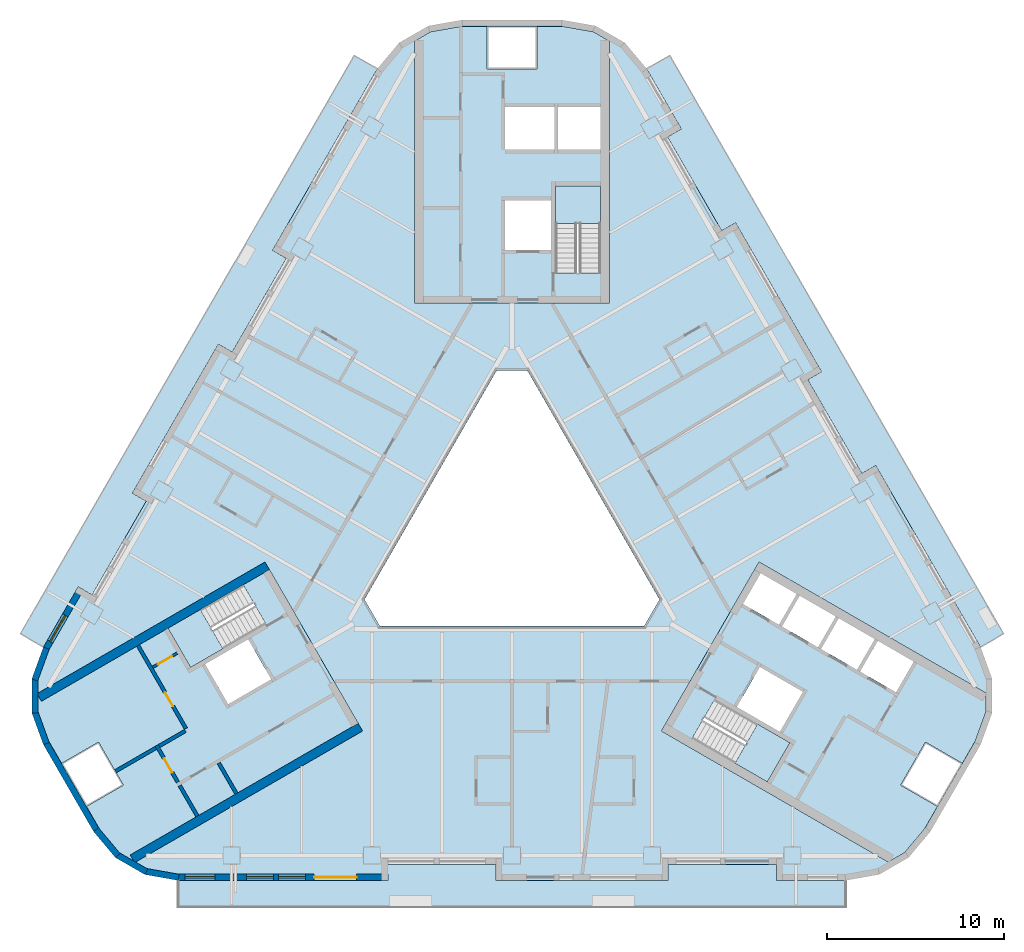
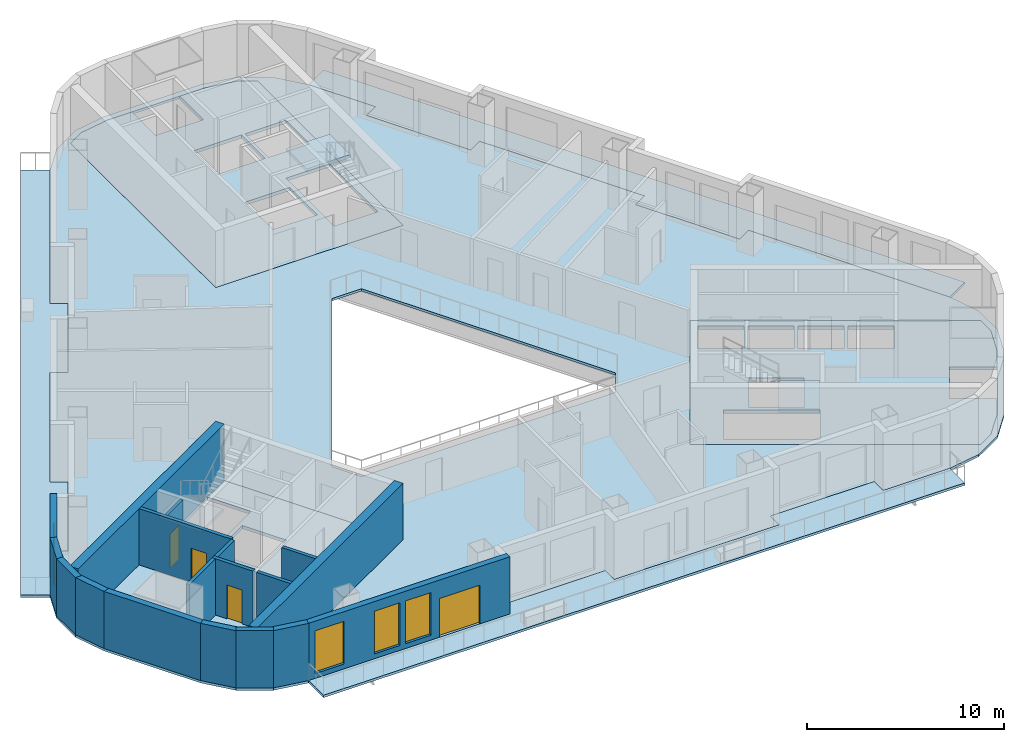
# One storey, part 2 of 13: 18 walls, 10 slabs, 4 doors, 4 windows, 8 openings, 3 elements without a shape of their own.
"""IFC4 building model written with IfcOpenShell, lengths in metres."""

from ifc_helpers import new_model, si_unit, direction, frame, frame_2d, origin, place, context, subcontext, project, spatial, polyline, rectangle, outline, extrude, material, layer, layer_set, type_object, element, fill, aggregate, save


model = new_model("IFC4")

# Units and contexts
model_context = context("Model", 3, precision=1e-05, world=origin(), true_north=direction((0.0, 1.0)))
body_context = subcontext(model_context, "Body", "Model", "MODEL_VIEW")
ifc_project = project(units=[si_unit("LENGTHUNIT", "METRE"), si_unit("AREAUNIT", "SQUARE_METRE"), si_unit("VOLUMEUNIT", "CUBIC_METRE"), si_unit("PLANEANGLEUNIT", "RADIAN"), si_unit("MASSUNIT", "GRAM", prefix="KILO")], contexts=[model_context])

# Site, building, storey
site_placement = place(None, origin())
site = spatial("IfcSite", under=ifc_project, at=site_placement, CompositionType="ELEMENT")
building_placement = place(site_placement, origin())
building = spatial("IfcBuilding", under=site, at=building_placement, Name="Apuvela Tower Hotel", CompositionType="ELEMENT")
storey_placement = place(building_placement, frame((0.0, 0.0, 65.0)))
storey = spatial("IfcBuildingStorey", under=building, at=storey_placement, Name="L13", CompositionType="ELEMENT", Elevation=65.0)

# Slabs
ifc_material_1 = material(Name="Concrete C50/60", Category="concrete")
ifc_layer_1 = layer(ifc_material_1, 0.199951171875)
ifc_layer_set_1 = layer_set([ifc_layer_1], Name="COR-FLOOR-200")
slab_type_1 = type_object("IfcSlabType", Name="COR-FLOOR-200", PredefinedType="FLOOR", material=ifc_layer_set_1)
slab_1_placement = place(storey_placement, frame((0.0, 0.0, -0.199951171875)))
element("IfcSlab", 1, at=slab_1_placement, inside=storey, type_object=slab_type_1, Name="Core floor N", PredefinedType="FLOOR", context=body_context, shape_type="SweptSolid", body=[
    extrude(outline(polyline([(5.5, 27.668212890625), (4.588623046875, 28.1943359375), (2.85498046875, 28.5), (1.39990234375, 28.5), (1.39990234375, 26.10009765625), (-1.39990234375, 26.10009765625), (-1.39990234375, 28.5), (-2.85498046875, 28.5), (-4.588623046875, 28.1943359375), (-5.5, 27.668212890625), (-5.5, 12.89990234375), (5.5, 12.89990234375), (5.5, 27.668212890625)]), holes=[polyline([(5.0, 14.60595703125), (2.449951171875, 14.60595703125), (2.449951171875, 19.5), (5.0, 19.5), (5.0, 14.60595703125)]), polyline([(2.199951171875, 15.89990234375), (-0.39990234375, 15.89990234375), (-0.39990234375, 18.699951171875), (2.199951171875, 18.699951171875), (2.199951171875, 15.89990234375)]), polyline([(5.0, 21.550048828125), (2.60009765625, 21.550048828125), (2.60009765625, 23.949951171875), (5.0, 23.949951171875), (5.0, 21.550048828125)]), polyline([(2.39990234375, 21.550048828125), (-0.39990234375, 21.550048828125), (-0.39990234375, 23.949951171875), (2.39990234375, 23.949951171875), (2.39990234375, 21.550048828125)])]), origin(), (0.0, 0.0, 1.0), 0.199951171875),
])
slab_2_placement = place(storey_placement, frame((0.0, 0.0, -0.199951171875)))
element("IfcSlab", 2, at=slab_2_placement, inside=storey, type_object=slab_type_1, Name="Core floor SW", PredefinedType="FLOOR", context=body_context, shape_type="SweptSolid", body=[
    extrude(outline(polyline([(-26.711181640625, -9.07080078125), (-26.711181640625, -10.123291015625), (-26.109375, -11.77734375), (-25.381591796875, -13.03759765625), (-23.30322265625, -11.837646484375), (-21.9033203125, -14.262451171875), (-23.981689453125, -15.46240234375), (-23.254150390625, -16.72265625), (-22.122802734375, -18.071044921875), (-21.211181640625, -18.59716796875), (-8.421630859375, -11.213134765625), (-13.921630859375, -1.68701171875), (-26.711181640625, -9.07080078125)]), holes=[polyline([(-13.874267578125, -5.18115234375), (-18.112548828125, -7.628173828125), (-19.387451171875, -5.419921875), (-15.149169921875, -2.972900390625), (-13.874267578125, -5.18115234375)]), polyline([(-13.56982421875, -8.29638671875), (-15.99462890625, -9.6962890625), (-17.294677734375, -7.444580078125), (-14.869873046875, -6.044677734375), (-13.56982421875, -8.29638671875)])]), origin(), (0.0, 0.0, 1.0), 0.199951171875),
])
slab_3_placement = place(storey_placement, frame((0.0, 0.0, -0.199951171875)))
element("IfcSlab", 3, at=slab_3_placement, inside=storey, type_object=slab_type_1, Name="Core floor SE", PredefinedType="FLOOR", context=body_context, shape_type="SweptSolid", body=[
    extrude(outline(polyline([(21.211181640625, -18.59716796875), (22.122802734375, -18.071044921875), (23.254150390625, -16.72265625), (23.981689453125, -15.46240234375), (21.9033203125, -14.262451171875), (23.30322265625, -11.837646484375), (25.381591796875, -13.03759765625), (26.109375, -11.77734375), (26.711181640625, -10.123291015625), (26.711181640625, -9.07080078125), (13.921630859375, -1.68701171875), (8.421630859375, -11.213134765625), (21.211181640625, -18.59716796875)]), holes=[polyline([(13.01806640625, -4.052001953125), (14.01806640625, -2.31982421875), (16.044677734375, -3.489990234375), (15.044677734375, -5.221923828125), (13.01806640625, -4.052001953125)]), polyline([(17.244384765625, -6.491943359375), (15.2177734375, -5.322021484375), (16.2177734375, -3.58984375), (18.244384765625, -4.760009765625), (17.244384765625, -6.491943359375)]), polyline([(14.387451171875, -14.080078125), (10.149169921875, -11.633056640625), (11.42431640625, -9.4248046875), (15.66259765625, -11.871826171875), (14.387451171875, -14.080078125)]), polyline([(12.669921875, -9.855224609375), (13.9697265625, -7.603515625), (16.394775390625, -9.003662109375), (15.0947265625, -11.25537109375), (12.669921875, -9.855224609375)]), polyline([(19.444091796875, -7.761962890625), (17.41748046875, -6.591796875), (18.41748046875, -4.85986328125), (20.444091796875, -6.02978515625), (19.444091796875, -7.761962890625)]), polyline([(21.643798828125, -9.031982421875), (19.6171875, -7.86181640625), (20.6171875, -6.1298828125), (22.643798828125, -7.2998046875), (21.643798828125, -9.031982421875)])]), origin(), (0.0, 0.0, 1.0), 0.199951171875),
])

# Stair, slab
stair_type = type_object("IfcStairType", Name="COR-STAIR-22R", PredefinedType="HALF_TURN_STAIR", material=ifc_material_1)
stair_1_placement = place(storey_placement, origin())
stair_1 = element("IfcStair", 4, at=stair_1_placement, inside=storey, type_object=stair_type, Name="L13 Exit stair ST1", PredefinedType="HALF_TURN_STAIR")
ifc_layer_2 = layer(ifc_material_1, 0.199951171875)
ifc_layer_set_2 = layer_set([ifc_layer_2], Name="COR-LANDING-200")
slab_type_2 = type_object("IfcSlabType", Name="COR-LANDING-200", PredefinedType="LANDING", material=ifc_layer_set_2)
slab_4_placement = place(storey_placement, frame((0.0, 0.0, 1.64990234375)))
slab_4 = element("IfcSlab", 5, at=slab_4_placement, type_object=slab_type_2, Name="ST1 landing 1", PredefinedType="LANDING", context=body_context, shape_type="SweptSolid", body=[
    extrude(outline(polyline([(5.0, 17.39404296875), (5.0, 19.5), (2.449951171875, 19.5), (2.449951171875, 17.39404296875), (5.0, 17.39404296875)])), origin(), (0.0, 0.0, 1.0), 0.2001953125),
])
aggregate(stair_1, [slab_4])

stair_2_placement = place(storey_placement, origin())
stair_2 = element("IfcStair", 6, at=stair_2_placement, inside=storey, type_object=stair_type, Name="L13 Exit stair ST2", PredefinedType="HALF_TURN_STAIR")
slab_5_placement = place(storey_placement, frame((0.0, 0.0, 1.64990234375)))
slab_5 = element("IfcSlab", 7, at=slab_5_placement, type_object=slab_type_2, Name="ST2 landing 1", PredefinedType="LANDING", context=body_context, shape_type="SweptSolid", body=[
    extrude(outline(polyline([(-17.563720703125, -4.366943359375), (-19.387451171875, -5.419921875), (-18.112548828125, -7.628173828125), (-16.28857421875, -6.5751953125), (-17.563720703125, -4.366943359375)])), origin(), (0.0, 0.0, 1.0), 0.2001953125),
])
aggregate(stair_2, [slab_5])

stair_3_placement = place(storey_placement, origin())
stair_3 = element("IfcStair", 8, at=stair_3_placement, inside=storey, type_object=stair_type, Name="L13 Exit stair ST3", PredefinedType="HALF_TURN_STAIR")
slab_6_placement = place(storey_placement, frame((0.0, 0.0, 1.64990234375)))
slab_6 = element("IfcSlab", 9, at=slab_6_placement, type_object=slab_type_2, Name="ST3 landing 1", PredefinedType="LANDING", context=body_context, shape_type="SweptSolid", body=[
    extrude(outline(polyline([(12.563720703125, -13.027099609375), (14.387451171875, -14.080078125), (15.66259765625, -11.871826171875), (13.838623046875, -10.81884765625), (12.563720703125, -13.027099609375)])), origin(), (0.0, 0.0, 1.0), 0.2001953125),
])
aggregate(stair_3, [slab_6])

# Slabs
ifc_material_2 = material(Name="Concrete C40/50, fair-faced", Category="concrete")
ifc_layer_3 = layer(ifc_material_2, 0.14990234375)
ifc_layer_set_3 = layer_set([ifc_layer_3], Name="ENV-BALCONY-150")
slab_type_3 = type_object("IfcSlabType", Name="ENV-BALCONY-150", PredefinedType="FLOOR", material=ifc_layer_set_3)
slab_7_placement = place(storey_placement, frame((0.0, 0.0, -0.14990234375)))
element("IfcSlab", 10, at=slab_7_placement, inside=storey, type_object=slab_type_3, Name="Balcony slab S L13", PredefinedType="FLOOR", context=body_context, shape_type="SweptSolid", body=[
    extrude(outline(polyline([(18.82080078125, -21.135009765625), (-18.82080078125, -21.135009765625), (-18.82080078125, -19.625), (-7.0048828125, -19.625), (-7.0048828125, -18.72509765625), (-0.89501953125, -18.72509765625), (-0.89501953125, -19.625), (8.794921875, -19.625), (8.794921875, -18.72509765625), (14.905029296875, -18.72509765625), (14.905029296875, -19.625), (18.82080078125, -19.625), (18.82080078125, -21.135009765625)])), origin(), (0.0, 0.0, 1.0), 0.14990234375),
])
slab_8_placement = place(storey_placement, frame((0.0, 0.0, -0.14990234375)))
element("IfcSlab", 11, at=slab_8_placement, inside=storey, type_object=slab_type_3, Name="Balcony slab NE L13", PredefinedType="FLOOR", context=body_context, shape_type="SweptSolid", body=[
    extrude(outline(polyline([(17.443359375, 9.037353515625), (12.598388671875, 17.42919921875), (11.81884765625, 16.979248046875), (8.763916015625, 22.2705078125), (9.543212890625, 22.720703125), (7.585205078125, 26.11181640625), (8.89306640625, 26.86669921875), (27.7138671875, -5.731689453125), (26.40625, -6.48681640625), (20.498291015625, 3.74609375), (19.71875, 3.2958984375), (16.663818359375, 8.58740234375), (17.443359375, 9.037353515625)])), origin(), (0.0, 0.0, 1.0), 0.14990234375),
])
slab_9_placement = place(storey_placement, frame((0.0, 0.0, -0.14990234375)))
element("IfcSlab", 12, at=slab_9_placement, inside=storey, type_object=slab_type_3, Name="Balcony slab NW L13", PredefinedType="FLOOR", context=body_context, shape_type="SweptSolid", body=[
    extrude(outline(polyline([(-27.7138671875, -5.731689453125), (-8.89306640625, 26.86669921875), (-7.585205078125, 26.11181640625), (-13.4931640625, 15.87890625), (-12.7138671875, 15.428955078125), (-15.768798828125, 10.1376953125), (-16.548095703125, 10.587646484375), (-21.393310546875, 2.19580078125), (-20.61376953125, 1.745849609375), (-23.668701171875, -3.545654296875), (-24.4482421875, -3.095703125), (-26.40625, -6.48681640625), (-27.7138671875, -5.731689453125)])), origin(), (0.0, 0.0, 1.0), 0.14990234375),
])
ifc_material_3 = material(Name="Concrete C35/45", Category="concrete")
ifc_layer_4 = layer(ifc_material_3, 0.14990234375)
ifc_layer_set_4 = layer_set([ifc_layer_4], Name="STR-SLAB 150 floor Concrete C35/45")
slab_type_4 = type_object("IfcSlabType", Name="STR-SLAB 150 floor Concrete C35/45", PredefinedType="FLOOR", material=ifc_layer_set_4)
slab_10_placement = place(storey_placement, frame((0.0, 0.0, -0.14990234375)))
element("IfcSlab", 13, at=slab_10_placement, inside=storey, type_object=slab_type_4, Name="Floor slab S4 L13", PredefinedType="FLOOR", context=body_context, shape_type="SweptSolid", body=[
    extrude(outline(polyline([(-6.3642578125, 27.5732421875), (-4.710205078125, 28.5283203125), (-2.8291015625, 28.860107421875), (2.8291015625, 28.860107421875), (4.710205078125, 28.5283203125), (6.3642578125, 27.5732421875), (7.59228515625, 26.110107421875), (9.550048828125, 22.71875), (8.770751953125, 22.268798828125), (11.82080078125, 16.986083984375), (12.60009765625, 17.43603515625), (17.4501953125, 9.035400390625), (16.670654296875, 8.58544921875), (19.720703125, 3.302734375), (20.5, 3.752685546875), (26.407958984375, -6.47998046875), (27.061279296875, -8.27490234375), (27.061279296875, -10.18505859375), (26.407958984375, -11.97998046875), (23.5791015625, -16.8798828125), (22.351318359375, -18.34326171875), (20.697021484375, -19.29833984375), (18.81591796875, -19.6298828125), (14.89990234375, -19.6298828125), (14.89990234375, -18.72998046875), (8.800048828125, -18.72998046875), (8.800048828125, -19.6298828125), (-0.89990234375, -19.6298828125), (-0.89990234375, -18.72998046875), (-7.0, -18.72998046875), (-7.0, -19.6298828125), (-18.81591796875, -19.6298828125), (-20.697021484375, -19.29833984375), (-22.351318359375, -18.34326171875), (-23.5791015625, -16.8798828125), (-26.407958984375, -11.97998046875), (-27.061279296875, -10.18505859375), (-27.061279296875, -8.27490234375), (-26.407958984375, -6.47998046875), (-24.4501953125, -3.088623046875), (-23.670654296875, -3.538818359375), (-20.62060546875, 1.743896484375), (-21.400146484375, 2.194091796875), (-16.550048828125, 10.594482421875), (-15.7705078125, 10.14453125), (-12.720703125, 15.42724609375), (-13.5, 15.877197265625), (-7.59228515625, 26.110107421875), (-6.3642578125, 27.5732421875)]), holes=[polyline([(0.865966796875, 9.10009765625), (-0.865966796875, 9.10009765625), (-8.313720703125, -3.800048828125), (-7.44775390625, -5.300048828125), (7.44775390625, -5.300048828125), (8.313720703125, -3.800048828125), (0.865966796875, 9.10009765625)]), polyline([(-5.5, 12.89990234375), (-5.5, 27.668212890625), (-4.588623046875, 28.1943359375), (-2.85498046875, 28.5), (2.85498046875, 28.5), (4.588623046875, 28.1943359375), (5.5, 27.668212890625), (5.5, 12.89990234375), (-5.5, 12.89990234375)]), polyline([(-8.421630859375, -11.213134765625), (-21.211181640625, -18.59716796875), (-22.122802734375, -18.071044921875), (-23.254150390625, -16.72265625), (-26.109375, -11.77734375), (-26.711181640625, -10.123291015625), (-26.711181640625, -9.07080078125), (-13.921630859375, -1.68701171875), (-8.421630859375, -11.213134765625)]), polyline([(13.921630859375, -1.68701171875), (26.711181640625, -9.07080078125), (26.711181640625, -10.123291015625), (26.109375, -11.77734375), (23.254150390625, -16.72265625), (22.122802734375, -18.071044921875), (21.211181640625, -18.59716796875), (8.421630859375, -11.213134765625), (13.921630859375, -1.68701171875)])]), origin(), (0.0, 0.0, 1.0), 0.14990234375),
])

# Walls
ifc_layer_5 = layer(ifc_material_1, 0.5)
ifc_layer_set_5 = layer_set([ifc_layer_5], Name="COR-WALL-CORE-500")
wall_type_1 = type_object("IfcWallType", Name="COR-WALL-CORE-500", PredefinedType="SHEAR", material=ifc_layer_set_5)
for number, where, z_axis, x_axis, name in (
    (14, (-13.796630859375, -1.9033203125, 0.0), (0.0, 0.0, 1.0), (-0.866025009528, -0.500000682871, 0.0), "Core wall SW"),
    (15, (-8.546630859375, -10.99658203125, 0.0), (0.0, 0.0, 1.0), (-0.866025009528, -0.500000682871, 0.0), "Core wall SW"),
):
    element("IfcWall", number, at=place(storey_placement, frame(where, z_axis=z_axis, x_axis=x_axis)), inside=storey, type_object=wall_type_1, Name=name, PredefinedType="SHEAR", context=body_context, shape_type="SweptSolid", body=[
        extrude(rectangle(XDim=14.8369140625, YDim=0.5, at=frame_2d((7.41845703125, 0.0))), origin(), (0.0, 0.0, 1.0), 3.5),
    ])

# Wall, opening, door
ifc_material_4 = material(Name="Blockwork 150 mm plastered", Category="masonry")
ifc_layer_6 = layer(ifc_material_4, 0.14990234375)
ifc_layer_set_6 = layer_set([ifc_layer_6], Name="COR-WALL-PART-150")
wall_type_2 = type_object("IfcWallType", Name="COR-WALL-PART-150", PredefinedType="PARTITIONING", material=ifc_layer_set_6)
wall_1_placement = place(storey_placement, frame((-18.866455078125, -6.822265625, 0.0), z_axis=(0.0, 0.0, 1.0), x_axis=(-0.866028054938, -0.499995408039, 0.0)))
wall_1 = element("IfcWall", 16, at=wall_1_placement, inside=storey, type_object=wall_type_2, Name="Partition SW", PredefinedType="PARTITIONING", context=body_context, shape_type="SweptSolid", body=[
    extrude(rectangle(XDim=1.60009765625, YDim=0.14990234375, at=frame_2d((0.800048828125, 0.0))), origin(), (0.0, 0.0, 1.0), 3.5),
])
opening_1_placement = place(wall_1_placement, frame((0.35009765625, 0.0, 0.0)))
opening_1 = element("IfcOpeningElement", 17, at=opening_1_placement, cuts=wall_1, Name="Opening W-RD", PredefinedType="OPENING", context=body_context, shape_type="SweptSolid", body=[
    extrude(rectangle(XDim=0.89990234375, YDim=2.10009765625, at=frame_2d((0.449951171875, 1.050048828125))), frame((0.0, 0.0849609375, 0.0), z_axis=(0.0, -1.0, 0.0), x_axis=(1.0, 0.0, 0.0)), (0.0, 0.0, 1.0), 0.169921875),
])
ifc_material_5 = material(Name="Steel access door, powder coated", Category="steel")
door_type_1 = type_object("IfcDoorType", Name="COR-RD-900", OperationType="NOTDEFINED", PredefinedType="DOOR", material=ifc_material_5)
door_1_placement = place(opening_1_placement, frame((0.89990234375, 0.0, 0.0), z_axis=(0.0, 0.0, 1.0), x_axis=(-1.0, 0.0, 0.0)))
door_1 = element("IfcDoor", 18, at=door_1_placement, inside=storey, type_object=door_type_1, Name="Riser door W-RD", OperationType="SINGLE_SWING_RIGHT", OverallHeight=2.10009765625, OverallWidth=0.89990234375, PredefinedType="DOOR", context=body_context, shape_type="SweptSolid", body=[
    extrude(rectangle(XDim=0.89990234375, YDim=2.10009765625, at=frame_2d((0.449951171875, 1.050048828125))), frame((0.0, 0.02490234375, 0.0), z_axis=(0.0, -1.0, 0.0), x_axis=(1.0, 0.0, 0.0)), (0.0, 0.0, 1.0), 0.050048828125),
])
fill(opening_1, door_1)

ifc_material_6 = material(Name="Blockwork 200 mm plastered", Category="masonry")
ifc_layer_7 = layer(ifc_material_6, 0.199951171875)
ifc_layer_set_7 = layer_set([ifc_layer_7], Name="COR-WALL-PART-200")
wall_type_3 = type_object("IfcWallType", Name="COR-WALL-PART-200", PredefinedType="PARTITIONING", material=ifc_layer_set_7)
wall_2_placement = place(storey_placement, frame((-21.076171875, -6.39501953125, 0.0), z_axis=(0.0, 0.0, 1.0), x_axis=(0.50001468107, -0.866016927499, 0.0)))
wall_2 = element("IfcWall", 19, at=wall_2_placement, inside=storey, type_object=wall_type_3, Name="Partition SW", PredefinedType="PARTITIONING", context=body_context, shape_type="SweptSolid", body=[
    extrude(rectangle(XDim=5.399658203125, YDim=0.199951171875, at=frame_2d((2.69970703125, 0.0))), origin(), (0.0, 0.0, 1.0), 3.5),
])
opening_2_placement = place(wall_2_placement, frame((3.050048828125, 0.0, 0.0)))
opening_2 = element("IfcOpeningElement", 20, at=opening_2_placement, cuts=wall_2, Name="Opening W-RS1", PredefinedType="OPENING", context=body_context, shape_type="SweptSolid", body=[
    extrude(rectangle(XDim=0.89990234375, YDim=2.10009765625, at=frame_2d((0.449951171875, 1.050048828125))), frame((0.0, 0.10986328125, 0.0), z_axis=(0.0, -1.0, 0.0), x_axis=(1.0, 0.0, 0.0)), (0.0, 0.0, 1.0), 0.219970703125),
])
ifc_material_7 = material(Name="Steel fire door, powder coated", Category="steel")
door_type_2 = type_object("IfcDoorType", Name="COR-DR-900", OperationType="NOTDEFINED", PredefinedType="DOOR", material=ifc_material_7)
door_2_placement = place(opening_2_placement, frame((0.89990234375, 0.0, 0.0), z_axis=(0.0, 0.0, 1.0), x_axis=(-1.0, 0.0, 0.0)))
door_2 = element("IfcDoor", 21, at=door_2_placement, inside=storey, type_object=door_type_2, Name="Store door W-RS1", OperationType="SINGLE_SWING_LEFT", OverallHeight=2.10009765625, OverallWidth=0.89990234375, PredefinedType="DOOR", context=body_context, shape_type="SweptSolid", body=[
    extrude(rectangle(XDim=0.89990234375, YDim=2.10009765625, at=frame_2d((0.449951171875, 1.050048828125))), frame((0.0, 0.02490234375, 0.0), z_axis=(0.0, -1.0, 0.0), x_axis=(1.0, 0.0, 0.0)), (0.0, 0.0, 1.0), 0.050048828125),
])
fill(opening_2, door_2)

ifc_layer_8 = layer(ifc_material_1, 0.199951171875)
ifc_layer_set_8 = layer_set([ifc_layer_8], Name="COR-WALL-SHAFT-200")
wall_type_4 = type_object("IfcWallType", Name="COR-WALL-SHAFT-200", PredefinedType="SHEAR", material=ifc_layer_set_8)
wall_3_placement = place(storey_placement, frame((-20.030517578125, -12.0263671875, 0.0), z_axis=(0.0, 0.0, 1.0), x_axis=(0.500033551112, -0.866006032174, 0.0)))
wall_3 = element("IfcWall", 22, at=wall_3_placement, inside=storey, type_object=wall_type_4, Name="Shaft wall SW", PredefinedType="SHEAR", context=body_context, shape_type="SweptSolid", body=[
    extrude(rectangle(XDim=2.400146484375, YDim=0.199951171875, at=frame_2d((1.2001953125, 0.0))), origin(), (0.0, 0.0, 1.0), 3.5),
])
opening_3_placement = place(wall_3_placement, frame((0.85009765625, 0.0, 0.0)))
opening_3 = element("IfcOpeningElement", 23, at=opening_3_placement, cuts=wall_3, Name="Opening W-REP", PredefinedType="OPENING", context=body_context, shape_type="SweptSolid", body=[
    extrude(rectangle(XDim=0.89990234375, YDim=2.10009765625, at=frame_2d((0.449951171875, 1.050048828125))), frame((0.0, 0.10986328125, 0.0), z_axis=(0.0, -1.0, 0.0), x_axis=(1.0, 0.0, 0.0)), (0.0, 0.0, 1.0), 0.219970703125),
])
door_3_placement = place(opening_3_placement, frame((0.89990234375, 0.0, 0.0), z_axis=(0.0, 0.0, 1.0), x_axis=(-1.0, 0.0, 0.0)))
door_3 = element("IfcDoor", 24, at=door_3_placement, inside=storey, type_object=door_type_2, Name="Store door W-REP", OperationType="SINGLE_SWING_LEFT", OverallHeight=2.10009765625, OverallWidth=0.89990234375, PredefinedType="DOOR", context=body_context, shape_type="SweptSolid", body=[
    extrude(rectangle(XDim=0.89990234375, YDim=2.10009765625, at=frame_2d((0.449951171875, 1.050048828125))), frame((0.0, 0.02490234375, 0.0), z_axis=(0.0, -1.0, 0.0), x_axis=(1.0, 0.0, 0.0)), (0.0, 0.0, 1.0), 0.050048828125),
])
fill(opening_3, door_3)

# Walls
wall_4_placement = place(storey_placement, frame((-18.412841796875, -11.2080078125, 0.0), z_axis=(0.0, 0.0, 1.0), x_axis=(-0.866038183914, -0.499977863513, 0.0)))
element("IfcWall", 25, at=wall_4_placement, inside=storey, type_object=wall_type_4, Name="Shaft wall SW", PredefinedType="SHEAR", context=body_context, shape_type="SweptSolid", body=[
    extrude(rectangle(XDim=1.7099609375, YDim=0.199951171875, at=frame_2d((0.85498046875, 0.0))), origin(), (0.0, 0.0, 1.0), 3.5),
])
for number, where, z_axis, x_axis, name in (
    (26, (-16.530517578125, -13.008056640625, 0.0), (0.0, 0.0, 1.0), (0.50002537861, -0.866010750942, 0.0), "Shaft wall SW"),
    (27, (-18.73046875, -14.278076171875, 0.0), (0.0, 0.0, 1.0), (0.50002537861, -0.866010750942, 0.0), "Shaft wall SW"),
):
    element("IfcWall", number, at=place(storey_placement, frame(where, z_axis=z_axis, x_axis=x_axis)), inside=storey, type_object=wall_type_4, Name=name, PredefinedType="SHEAR", context=body_context, shape_type="SweptSolid", body=[
        extrude(rectangle(XDim=2.0, YDim=0.199951171875, at=frame_2d((1.0, 0.0))), origin(), (0.0, 0.0, 1.0), 3.5),
    ])
wall_5_placement = place(storey_placement, frame((-20.06689453125, -12.1630859375, 0.0), z_axis=(0.0, 0.0, 1.0), x_axis=(-0.866060851709, -0.499938597367, 0.0)))
element("IfcWall", 28, at=wall_5_placement, inside=storey, type_object=wall_type_4, Name="Shaft wall SW", PredefinedType="SHEAR", context=body_context, shape_type="SweptSolid", body=[
    extrude(rectangle(XDim=2.639892578125, YDim=0.199951171875, at=frame_2d((1.31982421875, 0.0))), origin(), (0.0, 0.0, 1.0), 3.5),
])

# Wall, opening, window
ifc_material_8 = material(Name="Concrete C40/50, dark pigmented precast panel", Category="concrete")
ifc_layer_9 = layer(ifc_material_8, 0.35009765625)
ifc_layer_set_9 = layer_set([ifc_layer_9], Name="ENV-WALL-350")
wall_type_5 = type_object("IfcWallType", Name="ENV-WALL-350", PredefinedType="SOLIDWALL", material=ifc_layer_set_9)
wall_6_placement = place(storey_placement, frame((-24.298583984375, -3.17626953125, 0.0), z_axis=(0.0, 0.0, 1.0), x_axis=(-0.500028278809, -0.866009076391, 0.0)))
wall_6 = element("IfcWall", 29, at=wall_6_placement, inside=storey, type_object=wall_type_5, Name="External wall L13-09", PredefinedType="SOLIDWALL", context=body_context, shape_type="SweptSolid", body=[
    extrude(rectangle(XDim=3.915771484375, YDim=0.35009765625, at=frame_2d((1.9580078125, 0.0))), origin(), (0.0, 0.0, 1.0), 3.550048828125),
])
opening_4_placement = place(wall_6_placement, frame((1.750244140625, 0.0, 0.300048828125)))
opening_4 = element("IfcOpeningElement", 30, at=opening_4_placement, cuts=wall_6, Name="Opening WN17", PredefinedType="OPENING", context=body_context, shape_type="SweptSolid", body=[
    extrude(rectangle(XDim=1.699951171875, YDim=2.64990234375, at=frame_2d((0.85009765625, 1.324951171875))), frame((0.0, 0.18505859375, 0.0), z_axis=(0.0, -1.0, 0.0), x_axis=(1.0, 0.0, 0.0)), (0.0, 0.0, 1.0), 0.3701171875),
])
ifc_material_9 = material(Name="Glass, dark tinted laminated insulated glazing unit", Category="glass")
window_type_1 = type_object("IfcWindowType", Name="ENV-WIN-1700x2650", PartitioningType="SINGLE_PANEL", PredefinedType="WINDOW", material=ifc_material_9)
window_1_placement = place(opening_4_placement, origin())
window_1 = element("IfcWindow", 31, at=window_1_placement, inside=storey, type_object=window_type_1, Name="Window WN17", OverallHeight=2.64990234375, OverallWidth=1.699951171875, PartitioningType="SINGLE_PANEL", PredefinedType="WINDOW", context=body_context, shape_type="SweptSolid", body=[
    extrude(rectangle(XDim=1.699951171875, YDim=2.64990234375, at=frame_2d((0.85009765625, 1.324951171875))), frame((0.0, 0.030029296875, 0.0), z_axis=(0.0, -1.0, 0.0), x_axis=(1.0, 0.0, 0.0)), (0.0, 0.0, 1.0), 0.06005859375),
])
fill(opening_4, window_1)

# Walls
for number, where, z_axis, x_axis, name in (
    (32, (-26.24365234375, -6.539794921875, 0.0), (0.0, 0.0, 1.0), (-0.342030395486, -0.939688889242, 0.0), "External wall L13-10"),
    (33, (-26.88623046875, -8.27490234375, 0.0), (0.0, 0.0, 1.0), (0.0, -1.0, 0.0), "External wall L13-11"),
    (34, (-26.89697265625, -10.125244140625, 0.0), (0.0, 0.0, 1.0), (0.342030395486, -0.939688889242, 0.0), "External wall L13-12"),
):
    element("IfcWall", number, at=place(storey_placement, frame(where, z_axis=z_axis, x_axis=x_axis)), inside=storey, type_object=wall_type_5, Name=name, PredefinedType="SOLIDWALL", context=body_context, shape_type="SweptSolid", body=[
        extrude(rectangle(XDim=1.91015625, YDim=0.35009765625, at=frame_2d((0.955078125, 0.0))), origin(), (0.0, 0.0, 1.0), 3.550048828125),
    ])
wall_7_placement = place(storey_placement, frame((-26.256591796875, -11.892578125, 0.0), z_axis=(0.0, 0.0, 1.0), x_axis=(0.500018773155, -0.866014564827, 0.0)))
element("IfcWall", 35, at=wall_7_placement, inside=storey, type_object=wall_type_5, Name="External wall L13-13", PredefinedType="SOLIDWALL", context=body_context, shape_type="SweptSolid", body=[
    extrude(rectangle(XDim=5.657958984375, YDim=0.35009765625, at=frame_2d((2.8291015625, 0.0))), origin(), (0.0, 0.0, 1.0), 3.550048828125),
])
for number, where, z_axis, x_axis, name in (
    (36, (-23.44482421875, -16.767578125, 0.0), (0.0, 0.0, 1.0), (0.642733291068, -0.76609001857, 0.0), "External wall L13-14"),
    (37, (-22.263671875, -18.191650390625, 0.0), (0.0, 0.0, 1.0), (0.866000389056, -0.500043324278, 0.0), "External wall L13-15"),
):
    element("IfcWall", number, at=place(storey_placement, frame(where, z_axis=z_axis, x_axis=x_axis)), inside=storey, type_object=wall_type_5, Name=name, PredefinedType="SOLIDWALL", context=body_context, shape_type="SweptSolid", body=[
        extrude(rectangle(XDim=1.909912109375, YDim=0.35009765625, at=frame_2d((0.955078125, 0.0))), origin(), (0.0, 0.0, 1.0), 3.550048828125),
    ])
wall_8_placement = place(storey_placement, frame((-20.66650390625, -19.1259765625, 0.0), z_axis=(0.0, 0.0, 1.0), x_axis=(0.984798995425, -0.173697837091, 0.0)))
element("IfcWall", 38, at=wall_8_placement, inside=storey, type_object=wall_type_5, Name="External wall L13-16", PredefinedType="SOLIDWALL", context=body_context, shape_type="SweptSolid", body=[
    extrude(rectangle(XDim=1.91015625, YDim=0.35009765625, at=frame_2d((0.955078125, 0.0))), origin(), (0.0, 0.0, 1.0), 3.550048828125),
])

# Wall, openings, door, windows
wall_9_placement = place(storey_placement, frame((-18.81591796875, -19.455078125, 0.0), z_axis=(0.0, 0.0, 1.0), x_axis=(1.0, 0.0, 0.0)))
wall_9 = element("IfcWall", 39, at=wall_9_placement, inside=storey, type_object=wall_type_5, Name="External wall L13-17", PredefinedType="SOLIDWALL", context=body_context, shape_type="SweptSolid", body=[
    extrude(rectangle(XDim=11.81591796875, YDim=0.35009765625, at=frame_2d((5.907958984375, 0.0))), origin(), (0.0, 0.0, 1.0), 3.550048828125),
])
opening_5_placement = place(wall_9_placement, frame((0.380615234375, 0.0, 0.300048828125)))
opening_5 = element("IfcOpeningElement", 40, at=opening_5_placement, cuts=wall_9, Name="Opening WN17", PredefinedType="OPENING", context=body_context, shape_type="SweptSolid", body=[
    extrude(rectangle(XDim=1.699951171875, YDim=2.64990234375, at=frame_2d((0.85009765625, 1.324951171875))), frame((0.0, 0.18505859375, 0.0), z_axis=(0.0, -1.0, 0.0), x_axis=(1.0, 0.0, 0.0)), (0.0, 0.0, 1.0), 0.3701171875),
])
opening_6_placement = place(wall_9_placement, frame((7.665283203125, 0.0, 0.0)))
opening_6 = element("IfcOpeningElement", 41, at=opening_6_placement, cuts=wall_9, Name="Opening BD24", PredefinedType="OPENING", context=body_context, shape_type="SweptSolid", body=[
    extrude(rectangle(XDim=2.39990234375, YDim=2.39990234375, at=frame_2d((1.199951171875, 1.199951171875))), frame((0.0, 0.18505859375, 0.0), z_axis=(0.0, -1.0, 0.0), x_axis=(1.0, 0.0, 0.0)), (0.0, 0.0, 1.0), 0.3701171875),
])
opening_7_placement = place(wall_9_placement, frame((3.865966796875, 0.0, 0.300048828125)))
opening_7 = element("IfcOpeningElement", 42, at=opening_7_placement, cuts=wall_9, Name="Opening WN15", PredefinedType="OPENING", context=body_context, shape_type="SweptSolid", body=[
    extrude(rectangle(XDim=1.5, YDim=2.64990234375, at=frame_2d((0.75, 1.324951171875))), frame((0.0, 0.18505859375, 0.0), z_axis=(0.0, -1.0, 0.0), x_axis=(1.0, 0.0, 0.0)), (0.0, 0.0, 1.0), 0.3701171875),
])
opening_8_placement = place(wall_9_placement, frame((5.666015625, 0.0, 0.300048828125)))
opening_8 = element("IfcOpeningElement", 43, at=opening_8_placement, cuts=wall_9, Name="Opening WN15", PredefinedType="OPENING", context=body_context, shape_type="SweptSolid", body=[
    extrude(rectangle(XDim=1.5, YDim=2.64990234375, at=frame_2d((0.75, 1.324951171875))), frame((0.0, 0.18505859375, 0.0), z_axis=(0.0, -1.0, 0.0), x_axis=(1.0, 0.0, 0.0)), (0.0, 0.0, 1.0), 0.3701171875),
])
ifc_material_10 = material(Name="Aluminium 6063-T6, dark bronze anodised frame with dark tinted laminated glass", Category="aluminium")
door_type_3 = type_object("IfcDoorType", Name="ENV-DOOR-BALCONY-2400x2400", OperationType="SLIDING_TO_LEFT", PredefinedType="DOOR", material=ifc_material_10)
door_4_placement = place(opening_6_placement, frame((2.39990234375, 0.0, 0.0), z_axis=(0.0, 0.0, 1.0), x_axis=(-1.0, 0.0, 0.0)))
door_4 = element("IfcDoor", 44, at=door_4_placement, inside=storey, type_object=door_type_3, Name="Balcony door BD24", OperationType="SLIDING_TO_LEFT", OverallHeight=2.39990234375, OverallWidth=2.39990234375, PredefinedType="DOOR", context=body_context, shape_type="SweptSolid", body=[
    extrude(rectangle(XDim=2.39990234375, YDim=2.39990234375, at=frame_2d((1.199951171875, 1.199951171875))), frame((0.0, 0.02490234375, 0.0), z_axis=(0.0, -1.0, 0.0), x_axis=(1.0, 0.0, 0.0)), (0.0, 0.0, 1.0), 0.050048828125),
])
fill(opening_6, door_4)
window_type_2 = type_object("IfcWindowType", Name="ENV-WIN-1500x2650", PartitioningType="SINGLE_PANEL", PredefinedType="WINDOW", material=ifc_material_9)
window_2_placement = place(opening_7_placement, origin())
window_2 = element("IfcWindow", 45, at=window_2_placement, inside=storey, type_object=window_type_2, Name="Window WN15", OverallHeight=2.64990234375, OverallWidth=1.5, PartitioningType="SINGLE_PANEL", PredefinedType="WINDOW", context=body_context, shape_type="SweptSolid", body=[
    extrude(rectangle(XDim=1.5, YDim=2.64990234375, at=frame_2d((0.75, 1.324951171875))), frame((0.0, 0.030029296875, 0.0), z_axis=(0.0, -1.0, 0.0), x_axis=(1.0, 0.0, 0.0)), (0.0, 0.0, 1.0), 0.06005859375),
])
fill(opening_7, window_2)
window_3_placement = place(opening_8_placement, origin())
window_3 = element("IfcWindow", 46, at=window_3_placement, inside=storey, type_object=window_type_2, Name="Window WN15", OverallHeight=2.64990234375, OverallWidth=1.5, PartitioningType="SINGLE_PANEL", PredefinedType="WINDOW", context=body_context, shape_type="SweptSolid", body=[
    extrude(rectangle(XDim=1.5, YDim=2.64990234375, at=frame_2d((0.75, 1.324951171875))), frame((0.0, 0.030029296875, 0.0), z_axis=(0.0, -1.0, 0.0), x_axis=(1.0, 0.0, 0.0)), (0.0, 0.0, 1.0), 0.06005859375),
])
fill(opening_8, window_3)
window_4_placement = place(opening_5_placement, origin())
window_4 = element("IfcWindow", 47, at=window_4_placement, inside=storey, type_object=window_type_1, Name="Window WN17", OverallHeight=2.64990234375, OverallWidth=1.699951171875, PartitioningType="SINGLE_PANEL", PredefinedType="WINDOW", context=body_context, shape_type="SweptSolid", body=[
    extrude(rectangle(XDim=1.699951171875, YDim=2.64990234375, at=frame_2d((0.85009765625, 1.324951171875))), frame((0.0, 0.030029296875, 0.0), z_axis=(0.0, -1.0, 0.0), x_axis=(1.0, 0.0, 0.0)), (0.0, 0.0, 1.0), 0.06005859375),
])
fill(opening_5, window_4)

save(model, "model.ifc")
